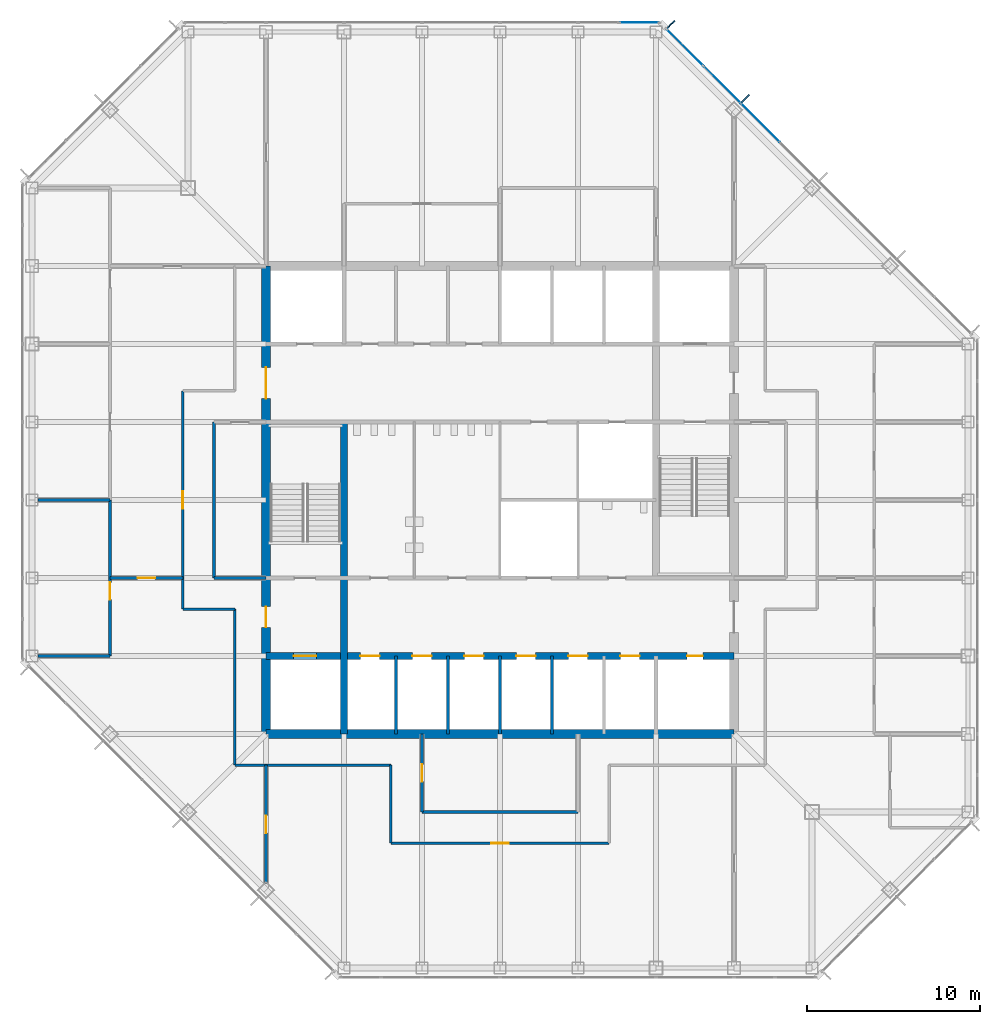
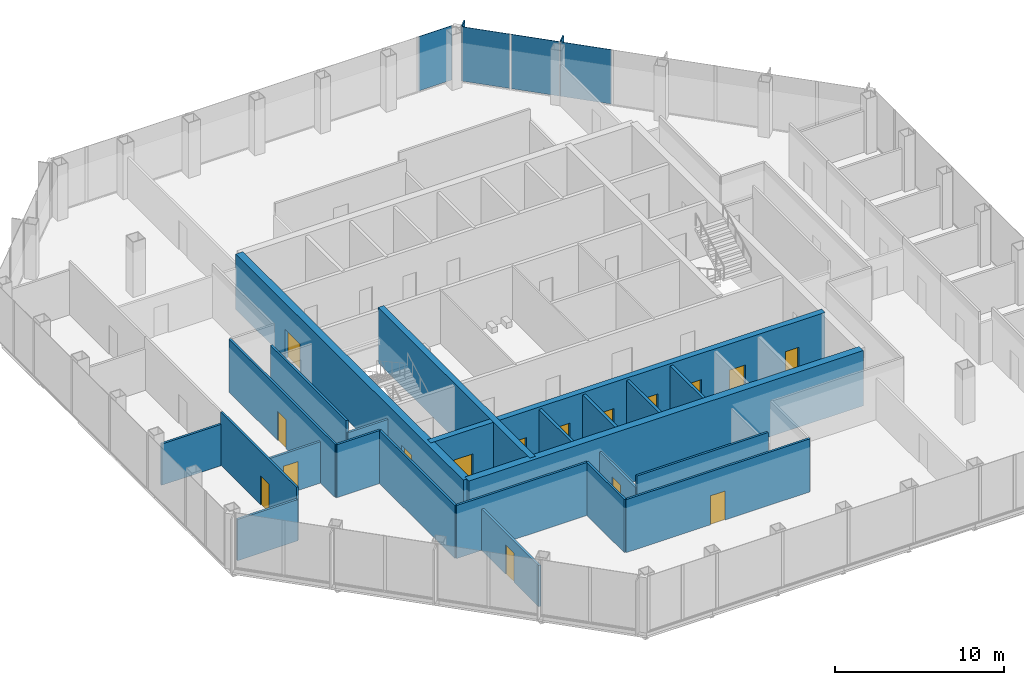
# One storey, part 8 of 13: 23 walls, 16 doors, 6 plates, 16 openings, 2 elements without a shape of their own.
"""IFC4 building model written with IfcOpenShell, lengths in metres."""

from ifc_helpers import new_model, si_unit, direction, frame, frame_2d, origin, origin_2d, place, context, subcontext, project, spatial, rectangle, extrude, material, layer, layer_set, type_object, element, fill, aggregate, save


model = new_model("IFC4")

# Units and contexts
model_context = context("Model", 3, precision=1e-05, world=origin(), true_north=direction((0.0, 1.0)))
body_context = subcontext(model_context, "Body", "Model", "MODEL_VIEW")
ifc_project = project(units=[si_unit("LENGTHUNIT", "METRE"), si_unit("AREAUNIT", "SQUARE_METRE"), si_unit("VOLUMEUNIT", "CUBIC_METRE"), si_unit("PLANEANGLEUNIT", "RADIAN"), si_unit("MASSUNIT", "GRAM", prefix="KILO")], contexts=[model_context])

# Site, building, storey
site_placement = place(None, origin())
site = spatial("IfcSite", under=ifc_project, at=site_placement, CompositionType="ELEMENT")
building_placement = place(site_placement, origin())
building = spatial("IfcBuilding", under=site, at=building_placement, Name="Corais Broadcast Tower", CompositionType="ELEMENT")
storey_placement = place(building_placement, frame((0.0, 0.0, 175.60009765625)))
storey = spatial("IfcBuildingStorey", under=building, at=storey_placement, Name="L40", CompositionType="ELEMENT", Elevation=175.60009765625)

# Curtain wall, plates
ifc_material_1 = material(Name="Aluminium and glass", Category="aluminium")
curtain_wall_type = type_object("IfcCurtainWallType", Name="Unitised fritted curtain wall CW2", PredefinedType="NOTDEFINED", material=ifc_material_1)
curtain_wall_1_placement = place(storey_placement, origin())
curtain_wall_1 = element("IfcCurtainWall", 1, at=curtain_wall_1_placement, inside=storey, type_object=curtain_wall_type, Name="CW2 curtain wall L40 5", PredefinedType="NOTDEFINED")
ifc_material_2 = material(Name="Ceramic-fritted laminated glass", Category="glass")
ifc_layer_1 = layer(ifc_material_2, 0.028076171875)
ifc_layer_set_1 = layer_set([ifc_layer_1], Name="Ceramic-fritted laminated glass")
plate_type_1 = type_object("IfcPlateType", Name="Fritted glass panel CW2", PredefinedType="CURTAIN_PANEL", material=ifc_layer_set_1)
plate_1_placement = place(storey_placement, frame((37.669677734375, 53.108154296875, 0.06494140625), z_axis=(0.0, 0.0, 1.0), x_axis=(0.707106781187, -0.707106781187, 0.0)))
plate_1 = element("IfcPlate", 2, at=plate_1_placement, type_object=plate_type_1, Name="CW2 panel 1", PredefinedType="CURTAIN_PANEL", context=body_context, shape_type="SweptSolid", body=[
    extrude(rectangle(XDim=2.9482421875, YDim=0.028076171875, at=origin_2d()), origin(), (0.0, 0.0, 1.0), 3.93505859375),
])
plate_2_placement = place(storey_placement, frame((42.013916015625, 48.763916015625, 0.06494140625), z_axis=(0.0, 0.0, 1.0), x_axis=(0.707106781187, -0.707106781187, 0.0)))
plate_2 = element("IfcPlate", 3, at=plate_2_placement, type_object=plate_type_1, Name="CW2 panel 3", PredefinedType="CURTAIN_PANEL", context=body_context, shape_type="SweptSolid", body=[
    extrude(rectangle(XDim=3.116943359375, YDim=0.028076171875, at=origin_2d()), origin(), (0.0, 0.0, 1.0), 3.93505859375),
])

# Curtain wall, plate
curtain_wall_2_placement = place(storey_placement, origin())
curtain_wall_2 = element("IfcCurtainWall", 4, at=curtain_wall_2_placement, inside=storey, type_object=curtain_wall_type, Name="CW2 curtain wall L40 4", PredefinedType="NOTDEFINED")
ifc_material_3 = material(Name="Clear laminated glass", Category="glass")
ifc_layer_2 = layer(ifc_material_3, 0.031982421875)
ifc_layer_set_2 = layer_set([ifc_layer_2], Name="Clear laminated glass")
plate_type_2 = type_object("IfcPlateType", Name="Operable glass panel CW2", PredefinedType="CURTAIN_PANEL", material=ifc_layer_set_2)
plate_3_placement = place(storey_placement, frame((35.029541015625, 54.550048828125, 0.06494140625), z_axis=(0.0, 0.0, 1.0), x_axis=(1.0, 0.0, 0.0)))
plate_3 = element("IfcPlate", 5, at=plate_3_placement, type_object=plate_type_2, Name="CW2 operable panel 8", PredefinedType="CURTAIN_PANEL", context=body_context, shape_type="SweptSolid", body=[
    extrude(rectangle(XDim=2.266357421875, YDim=0.031982421875, at=origin_2d()), origin(), (0.0, 0.0, 1.0), 3.93505859375),
])
aggregate(curtain_wall_2, [plate_3])

# Plate
plate_4_placement = place(storey_placement, frame((39.81201171875, 50.9658203125, 0.06494140625), z_axis=(0.0, 0.0, 1.0), x_axis=(0.707106781187, -0.707106781187, 0.0)))
plate_4 = element("IfcPlate", 6, at=plate_4_placement, type_object=plate_type_2, Name="CW2 operable panel 2", PredefinedType="CURTAIN_PANEL", context=body_context, shape_type="SweptSolid", body=[
    extrude(rectangle(XDim=2.98095703125, YDim=0.031982421875, at=origin_2d()), origin(), (0.0, 0.0, 1.0), 3.93505859375),
])

aggregate(curtain_wall_1, [plate_1, plate_4, plate_2])

# Plates
ifc_material_4 = material(Name="Granite stone cladding", Category="masonry")
ifc_layer_3 = layer(ifc_material_4, 0.080078125)
ifc_layer_set_3 = layer_set([ifc_layer_3], Name="Granite stone cladding")
plate_type_3 = type_object("IfcPlateType", Name="Stone screen fin 80x600", PredefinedType="USERDEFINED", material=ifc_layer_set_3)
for number, where, z_axis, x_axis, name in (
    (7, (36.8779296875, 54.447021484375, 0.0), (0.0, 0.0, 1.0), (0.707106781187, -0.707106781187, 0.0), "SF1 stone screen fin L40"),
    (8, (41.16259765625, 50.16259765625, 0.0), (0.0, 0.0, 1.0), (0.707106781187, -0.707106781187, 0.0), "SF1 stone screen fin L40"),
):
    element("IfcPlate", number, at=place(storey_placement, frame(where, z_axis=z_axis, x_axis=x_axis)), inside=storey, type_object=plate_type_3, Name=name, ObjectType="STONE SCREEN FIN", PredefinedType="USERDEFINED", context=body_context, shape_type="SweptSolid", body=[
        extrude(rectangle(XDim=0.080078125, YDim=0.60009765625, at=origin_2d()), origin(), (0.0, 0.0, 1.0), 4.0),
    ])

# Wall
ifc_material_5 = material(Name="Concrete C50/60", Category="concrete")
ifc_layer_4 = layer(ifc_material_5, 0.39990234375)
ifc_layer_set_4 = layer_set([ifc_layer_4], Name="Concrete C50/60")
wall_type_1 = type_object("IfcWallType", Name="Core wall 400", PredefinedType="SHEAR", material=ifc_layer_set_4)
wall_1_placement = place(storey_placement, frame((18.0, 13.5, 0.0), z_axis=(0.0, 0.0, 1.0), x_axis=(0.0, 1.0, 0.0)))
element("IfcWall", 9, at=wall_1_placement, inside=storey, type_object=wall_type_1, Name="CR400 core wall X18A L40", PredefinedType="SHEAR", context=body_context, shape_type="SweptSolid", body=[
    extrude(rectangle(XDim=18.0, YDim=0.39990234375, at=frame_2d((9.0, 0.0))), origin(), (0.0, 0.0, 1.0), 4.0),
])

# Wall, openings, doors
wall_2_placement = place(storey_placement, frame((13.5, 18.0, 0.0), z_axis=(0.0, 0.0, 1.0), x_axis=(1.0, 0.0, 0.0)))
wall_2 = element("IfcWall", 10, at=wall_2_placement, inside=storey, type_object=wall_type_1, Name="CR400 core wall Y18 L40", PredefinedType="SHEAR", context=body_context, shape_type="SweptSolid", body=[
    extrude(rectangle(XDim=27.0, YDim=0.39990234375, at=frame_2d((13.5, 0.0))), origin(), (0.0, 0.0, 1.0), 4.0),
])
opening_1_placement = place(wall_2_placement, frame((24.300048828125, 0.0, 0.0)))
opening_1 = element("IfcOpeningElement", 11, at=opening_1_placement, cuts=wall_2, Name="Opening RD1", PredefinedType="OPENING", context=body_context, shape_type="SweptSolid", body=[
    extrude(rectangle(XDim=0.89990234375, YDim=2.10009765625, at=frame_2d((0.449951171875, 1.050048828125))), frame((0.0, 0.2099609375, 0.0), z_axis=(0.0, -1.0, 0.0), x_axis=(1.0, 0.0, 0.0)), (0.0, 0.0, 1.0), 0.419921875),
])
opening_2_placement = place(wall_2_placement, frame((5.449951171875, 0.0, 0.0)))
opening_2 = element("IfcOpeningElement", 12, at=opening_2_placement, cuts=wall_2, Name="Opening LD1", PredefinedType="OPENING", context=body_context, shape_type="SweptSolid", body=[
    extrude(rectangle(XDim=1.10009765625, YDim=2.10009765625, at=frame_2d((0.550048828125, 1.050048828125))), frame((0.0, 0.2099609375, 0.0), z_axis=(0.0, -1.0, 0.0), x_axis=(1.0, 0.0, 0.0)), (0.0, 0.0, 1.0), 0.419921875),
])
opening_3_placement = place(wall_2_placement, frame((8.449951171875, 0.0, 0.0)))
opening_3 = element("IfcOpeningElement", 13, at=opening_3_placement, cuts=wall_2, Name="Opening LD1", PredefinedType="OPENING", context=body_context, shape_type="SweptSolid", body=[
    extrude(rectangle(XDim=1.10009765625, YDim=2.10009765625, at=frame_2d((0.550048828125, 1.050048828125))), frame((0.0, 0.2099609375, 0.0), z_axis=(0.0, -1.0, 0.0), x_axis=(1.0, 0.0, 0.0)), (0.0, 0.0, 1.0), 0.419921875),
])
opening_4_placement = place(wall_2_placement, frame((11.449951171875, 0.0, 0.0)))
opening_4 = element("IfcOpeningElement", 14, at=opening_4_placement, cuts=wall_2, Name="Opening LD1", PredefinedType="OPENING", context=body_context, shape_type="SweptSolid", body=[
    extrude(rectangle(XDim=1.10009765625, YDim=2.10009765625, at=frame_2d((0.550048828125, 1.050048828125))), frame((0.0, 0.2099609375, 0.0), z_axis=(0.0, -1.0, 0.0), x_axis=(1.0, 0.0, 0.0)), (0.0, 0.0, 1.0), 0.419921875),
])
opening_5_placement = place(wall_2_placement, frame((14.449951171875, 0.0, 0.0)))
opening_5 = element("IfcOpeningElement", 15, at=opening_5_placement, cuts=wall_2, Name="Opening LD1", PredefinedType="OPENING", context=body_context, shape_type="SweptSolid", body=[
    extrude(rectangle(XDim=1.10009765625, YDim=2.10009765625, at=frame_2d((0.550048828125, 1.050048828125))), frame((0.0, 0.2099609375, 0.0), z_axis=(0.0, -1.0, 0.0), x_axis=(1.0, 0.0, 0.0)), (0.0, 0.0, 1.0), 0.419921875),
])
opening_6_placement = place(wall_2_placement, frame((17.449951171875, 0.0, 0.0)))
opening_6 = element("IfcOpeningElement", 16, at=opening_6_placement, cuts=wall_2, Name="Opening LD1", PredefinedType="OPENING", context=body_context, shape_type="SweptSolid", body=[
    extrude(rectangle(XDim=1.10009765625, YDim=2.10009765625, at=frame_2d((0.550048828125, 1.050048828125))), frame((0.0, 0.2099609375, 0.0), z_axis=(0.0, -1.0, 0.0), x_axis=(1.0, 0.0, 0.0)), (0.0, 0.0, 1.0), 0.419921875),
])
opening_7_placement = place(wall_2_placement, frame((20.449951171875, 0.0, 0.0)))
opening_7 = element("IfcOpeningElement", 17, at=opening_7_placement, cuts=wall_2, Name="Opening LD1", PredefinedType="OPENING", context=body_context, shape_type="SweptSolid", body=[
    extrude(rectangle(XDim=1.10009765625, YDim=2.10009765625, at=frame_2d((0.550048828125, 1.050048828125))), frame((0.0, 0.2099609375, 0.0), z_axis=(0.0, -1.0, 0.0), x_axis=(1.0, 0.0, 0.0)), (0.0, 0.0, 1.0), 0.419921875),
])
opening_8_placement = place(wall_2_placement, frame((1.60009765625, 0.0, 0.0)))
opening_8 = element("IfcOpeningElement", 18, at=opening_8_placement, cuts=wall_2, Name="Opening LD2", PredefinedType="OPENING", context=body_context, shape_type="SweptSolid", body=[
    extrude(rectangle(XDim=1.300048828125, YDim=2.199951171875, at=frame_2d((0.64990234375, 1.10009765625))), frame((0.0, 0.2099609375, 0.0), z_axis=(0.0, -1.0, 0.0), x_axis=(1.0, 0.0, 0.0)), (0.0, 0.0, 1.0), 0.419921875),
])
ifc_material_6 = material(Name="Stainless steel lift door", Category="steel")
door_type_1 = type_object("IfcDoorType", Name="Lift landing door 1100x2100", OperationType="SLIDING_TO_LEFT", PredefinedType="DOOR", material=ifc_material_6)
door_1_placement = place(opening_2_placement, origin())
door_1 = element("IfcDoor", 19, at=door_1_placement, inside=storey, type_object=door_type_1, Name="LD1 PM1 landing door L40", OperationType="SLIDING_TO_LEFT", OverallHeight=2.10009765625, OverallWidth=1.10009765625, PredefinedType="DOOR", context=body_context, shape_type="SweptSolid", body=[
    extrude(rectangle(XDim=1.10009765625, YDim=2.10009765625, at=frame_2d((0.550048828125, 1.050048828125))), frame((0.0, 0.02490234375, 0.0), z_axis=(0.0, -1.0, 0.0), x_axis=(1.0, 0.0, 0.0)), (0.0, 0.0, 1.0), 0.050048828125),
])
fill(opening_2, door_1)
door_2_placement = place(opening_3_placement, origin())
door_2 = element("IfcDoor", 20, at=door_2_placement, inside=storey, type_object=door_type_1, Name="LD1 PM2 landing door L40", OperationType="SLIDING_TO_LEFT", OverallHeight=2.10009765625, OverallWidth=1.10009765625, PredefinedType="DOOR", context=body_context, shape_type="SweptSolid", body=[
    extrude(rectangle(XDim=1.10009765625, YDim=2.10009765625, at=frame_2d((0.550048828125, 1.050048828125))), frame((0.0, 0.02490234375, 0.0), z_axis=(0.0, -1.0, 0.0), x_axis=(1.0, 0.0, 0.0)), (0.0, 0.0, 1.0), 0.050048828125),
])
fill(opening_3, door_2)
door_3_placement = place(opening_4_placement, origin())
door_3 = element("IfcDoor", 21, at=door_3_placement, inside=storey, type_object=door_type_1, Name="LD1 PM3 landing door L40", OperationType="SLIDING_TO_LEFT", OverallHeight=2.10009765625, OverallWidth=1.10009765625, PredefinedType="DOOR", context=body_context, shape_type="SweptSolid", body=[
    extrude(rectangle(XDim=1.10009765625, YDim=2.10009765625, at=frame_2d((0.550048828125, 1.050048828125))), frame((0.0, 0.02490234375, 0.0), z_axis=(0.0, -1.0, 0.0), x_axis=(1.0, 0.0, 0.0)), (0.0, 0.0, 1.0), 0.050048828125),
])
fill(opening_4, door_3)
door_4_placement = place(opening_5_placement, origin())
door_4 = element("IfcDoor", 22, at=door_4_placement, inside=storey, type_object=door_type_1, Name="LD1 PM4 landing door L40", OperationType="SLIDING_TO_LEFT", OverallHeight=2.10009765625, OverallWidth=1.10009765625, PredefinedType="DOOR", context=body_context, shape_type="SweptSolid", body=[
    extrude(rectangle(XDim=1.10009765625, YDim=2.10009765625, at=frame_2d((0.550048828125, 1.050048828125))), frame((0.0, 0.02490234375, 0.0), z_axis=(0.0, -1.0, 0.0), x_axis=(1.0, 0.0, 0.0)), (0.0, 0.0, 1.0), 0.050048828125),
])
fill(opening_5, door_4)
door_5_placement = place(opening_6_placement, origin())
door_5 = element("IfcDoor", 23, at=door_5_placement, inside=storey, type_object=door_type_1, Name="LD1 PM5 landing door L40", OperationType="SLIDING_TO_LEFT", OverallHeight=2.10009765625, OverallWidth=1.10009765625, PredefinedType="DOOR", context=body_context, shape_type="SweptSolid", body=[
    extrude(rectangle(XDim=1.10009765625, YDim=2.10009765625, at=frame_2d((0.550048828125, 1.050048828125))), frame((0.0, 0.02490234375, 0.0), z_axis=(0.0, -1.0, 0.0), x_axis=(1.0, 0.0, 0.0)), (0.0, 0.0, 1.0), 0.050048828125),
])
fill(opening_6, door_5)
door_6_placement = place(opening_7_placement, origin())
door_6 = element("IfcDoor", 24, at=door_6_placement, inside=storey, type_object=door_type_1, Name="LD1 PM6 landing door L40", OperationType="SLIDING_TO_LEFT", OverallHeight=2.10009765625, OverallWidth=1.10009765625, PredefinedType="DOOR", context=body_context, shape_type="SweptSolid", body=[
    extrude(rectangle(XDim=1.10009765625, YDim=2.10009765625, at=frame_2d((0.550048828125, 1.050048828125))), frame((0.0, 0.02490234375, 0.0), z_axis=(0.0, -1.0, 0.0), x_axis=(1.0, 0.0, 0.0)), (0.0, 0.0, 1.0), 0.050048828125),
])
fill(opening_7, door_6)
ifc_material_7 = material(Name="Stainless steel lift door", Category="steel")
door_type_2 = type_object("IfcDoorType", Name="Lift landing door 1300x2200", OperationType="SLIDING_TO_LEFT", PredefinedType="DOOR", material=ifc_material_7)
door_7_placement = place(opening_8_placement, origin())
door_7 = element("IfcDoor", 25, at=door_7_placement, inside=storey, type_object=door_type_2, Name="LD2 FL1 landing door L40", OperationType="SLIDING_TO_LEFT", OverallHeight=2.199951171875, OverallWidth=1.300048828125, PredefinedType="DOOR", context=body_context, shape_type="SweptSolid", body=[
    extrude(rectangle(XDim=1.300048828125, YDim=2.199951171875, at=frame_2d((0.64990234375, 1.10009765625))), frame((0.0, 0.02490234375, 0.0), z_axis=(0.0, -1.0, 0.0), x_axis=(1.0, 0.0, 0.0)), (0.0, 0.0, 1.0), 0.050048828125),
])
fill(opening_8, door_7)
ifc_material_8 = material(Name="Steel fire door", Category="steel")
door_type_3 = type_object("IfcDoorType", Name="Riser door 900x2100", OperationType="SINGLE_SWING_LEFT", PredefinedType="DOOR", material=ifc_material_8)
door_8_placement = place(opening_1_placement, origin())
door_8 = element("IfcDoor", 26, at=door_8_placement, inside=storey, type_object=door_type_3, Name="RD1 riser door L40", OperationType="SINGLE_SWING_RIGHT", OverallHeight=2.10009765625, OverallWidth=0.89990234375, PredefinedType="DOOR", context=body_context, shape_type="SweptSolid", body=[
    extrude(rectangle(XDim=0.89990234375, YDim=2.10009765625, at=frame_2d((0.449951171875, 1.050048828125))), frame((0.0, 0.02490234375, 0.0), z_axis=(0.0, -1.0, 0.0), x_axis=(1.0, 0.0, 0.0)), (0.0, 0.0, 1.0), 0.050048828125),
])
fill(opening_1, door_8)

# Wall
ifc_material_9 = material(Name="Concrete C50/60", Category="concrete")
ifc_layer_5 = layer(ifc_material_9, 0.5)
ifc_layer_set_5 = layer_set([ifc_layer_5], Name="Concrete C50/60")
wall_type_2 = type_object("IfcWallType", Name="Core wall 500", PredefinedType="SHEAR", material=ifc_layer_set_5)
wall_3_placement = place(storey_placement, frame((13.5, 13.5, 0.0), z_axis=(0.0, 0.0, 1.0), x_axis=(1.0, 0.0, 0.0)))
element("IfcWall", 27, at=wall_3_placement, inside=storey, type_object=wall_type_2, Name="CR500 core wall S L40", PredefinedType="SHEAR", context=body_context, shape_type="SweptSolid", body=[
    extrude(rectangle(XDim=27.0, YDim=0.5, at=frame_2d((13.5, 0.0))), origin(), (0.0, 0.0, 1.0), 4.0),
])

# Wall, openings, doors
wall_4_placement = place(storey_placement, frame((13.5, 40.5, 0.0), z_axis=(0.0, 0.0, 1.0), x_axis=(0.0, -1.0, 0.0)))
wall_4 = element("IfcWall", 28, at=wall_4_placement, inside=storey, type_object=wall_type_2, Name="CR500 core wall W L40", PredefinedType="SHEAR", context=body_context, shape_type="SweptSolid", body=[
    extrude(rectangle(XDim=27.0, YDim=0.5, at=frame_2d((13.5, 0.0))), origin(), (0.0, 0.0, 1.0), 4.0),
])
opening_9_placement = place(wall_4_placement, frame((19.64990234375, 0.0, 0.0)))
opening_9 = element("IfcOpeningElement", 29, at=opening_9_placement, cuts=wall_4, Name="Opening FD1", PredefinedType="OPENING", context=body_context, shape_type="SweptSolid", body=[
    extrude(rectangle(XDim=1.199951171875, YDim=2.10009765625, at=frame_2d((0.60009765625, 1.050048828125))), frame((0.0, 0.260009765625, 0.0), z_axis=(0.0, -1.0, 0.0), x_axis=(1.0, 0.0, 0.0)), (0.0, 0.0, 1.0), 0.52001953125),
])
opening_10_placement = place(wall_4_placement, frame((5.85009765625, 0.0, 0.0)))
opening_10 = element("IfcOpeningElement", 30, at=opening_10_placement, cuts=wall_4, Name="Opening FD2", PredefinedType="OPENING", context=body_context, shape_type="SweptSolid", body=[
    extrude(rectangle(XDim=1.800048828125, YDim=2.10009765625, at=frame_2d((0.89990234375, 1.050048828125))), frame((0.0, 0.260009765625, 0.0), z_axis=(0.0, -1.0, 0.0), x_axis=(1.0, 0.0, 0.0)), (0.0, 0.0, 1.0), 0.52001953125),
])
ifc_material_10 = material(Name="Steel fire door", Category="steel")
door_type_4 = type_object("IfcDoorType", Name="Fire door 1200x2100", OperationType="SINGLE_SWING_LEFT", PredefinedType="DOOR", material=ifc_material_10)
door_9_placement = place(opening_9_placement, origin())
door_9 = element("IfcDoor", 31, at=door_9_placement, inside=storey, type_object=door_type_4, Name="FD1 fire lobby A door L40", OperationType="SINGLE_SWING_RIGHT", OverallHeight=2.10009765625, OverallWidth=1.199951171875, PredefinedType="DOOR", context=body_context, shape_type="SweptSolid", body=[
    extrude(rectangle(XDim=1.199951171875, YDim=2.10009765625, at=frame_2d((0.60009765625, 1.050048828125))), frame((0.0, 0.02490234375, 0.0), z_axis=(0.0, -1.0, 0.0), x_axis=(1.0, 0.0, 0.0)), (0.0, 0.0, 1.0), 0.050048828125),
])
fill(opening_9, door_9)
ifc_material_11 = material(Name="Steel fire door", Category="steel")
door_type_5 = type_object("IfcDoorType", Name="Fire door pair 1800x2100", OperationType="DOUBLE_DOOR_SINGLE_SWING", PredefinedType="DOOR", material=ifc_material_11)
door_10_placement = place(opening_10_placement, origin())
door_10 = element("IfcDoor", 32, at=door_10_placement, inside=storey, type_object=door_type_5, Name="FD2 lift lobby door L40", OperationType="SINGLE_SWING_LEFT", OverallHeight=2.10009765625, OverallWidth=1.800048828125, PredefinedType="DOOR", context=body_context, shape_type="SweptSolid", body=[
    extrude(rectangle(XDim=1.800048828125, YDim=2.10009765625, at=frame_2d((0.89990234375, 1.050048828125))), frame((0.0, 0.02490234375, 0.0), z_axis=(0.0, -1.0, 0.0), x_axis=(1.0, 0.0, 0.0)), (0.0, 0.0, 1.0), 0.050048828125),
])
fill(opening_10, door_10)

# Wall, opening, door
ifc_material_12 = material(Name="Gypsum board on steel studs", Category="steel")
ifc_layer_6 = layer(ifc_material_12, 0.14990234375)
ifc_layer_set_6 = layer_set([ifc_layer_6], Name="Gypsum board on steel studs")
wall_type_3 = type_object("IfcWallType", Name="Partition 150", PredefinedType="PARTITIONING", material=ifc_layer_set_6)
wall_5_placement = place(storey_placement, frame((8.699951171875, 33.300048828125, 0.0), z_axis=(0.0, 0.0, 1.0), x_axis=(0.0, -1.0, 0.0)))
wall_5 = element("IfcWall", 33, at=wall_5_placement, inside=storey, type_object=wall_type_3, Name="IW3 corridor wall L40", PredefinedType="PARTITIONING", context=body_context, shape_type="SweptSolid", body=[
    extrude(rectangle(XDim=12.60009765625, YDim=0.14990234375, at=frame_2d((6.300048828125, 0.0))), origin(), (0.0, 0.0, 1.0), 3.83984375),
])
opening_11_placement = place(wall_5_placement, frame((5.800048828125, 0.0, 0.0)))
opening_11 = element("IfcOpeningElement", 34, at=opening_11_placement, cuts=wall_5, Name="Opening D1", PredefinedType="OPENING", context=body_context, shape_type="SweptSolid", body=[
    extrude(rectangle(XDim=1.0, YDim=2.10009765625, at=frame_2d((0.5, 1.050048828125))), frame((0.0, 0.0849609375, 0.0), z_axis=(0.0, -1.0, 0.0), x_axis=(1.0, 0.0, 0.0)), (0.0, 0.0, 1.0), 0.169921875),
])
ifc_material_13 = material(Name="Timber door", Category="wood")
door_type_6 = type_object("IfcDoorType", Name="Single door 1000x2100", OperationType="SINGLE_SWING_LEFT", PredefinedType="DOOR", material=ifc_material_13)
door_11_placement = place(opening_11_placement, origin())
door_11 = element("IfcDoor", 35, at=door_11_placement, inside=storey, type_object=door_type_6, Name="D1 workplace door L40", OperationType="SINGLE_SWING_LEFT", OverallHeight=2.10009765625, OverallWidth=1.0, PredefinedType="DOOR", context=body_context, shape_type="SweptSolid", body=[
    extrude(rectangle(XDim=1.0, YDim=2.10009765625, at=frame_2d((0.5, 1.050048828125))), frame((0.0, 0.02490234375, 0.0), z_axis=(0.0, -1.0, 0.0), x_axis=(1.0, 0.0, 0.0)), (0.0, 0.0, 1.0), 0.050048828125),
])
fill(opening_11, door_11)

wall_6_placement = place(storey_placement, frame((20.699951171875, 7.199951171875, 0.0), z_axis=(0.0, 0.0, 1.0), x_axis=(1.0, 0.0, 0.0)))
wall_6 = element("IfcWall", 36, at=wall_6_placement, inside=storey, type_object=wall_type_3, Name="IW3 corridor wall L40", PredefinedType="PARTITIONING", context=body_context, shape_type="SweptSolid", body=[
    extrude(rectangle(XDim=12.60009765625, YDim=0.14990234375, at=frame_2d((6.300048828125, 0.0))), origin(), (0.0, 0.0, 1.0), 3.83984375),
])
opening_12_placement = place(wall_6_placement, frame((5.800048828125, 0.0, 0.0)))
opening_12 = element("IfcOpeningElement", 37, at=opening_12_placement, cuts=wall_6, Name="Opening D1", PredefinedType="OPENING", context=body_context, shape_type="SweptSolid", body=[
    extrude(rectangle(XDim=1.0, YDim=2.10009765625, at=frame_2d((0.5, 1.050048828125))), frame((0.0, 0.0849609375, 0.0), z_axis=(0.0, -1.0, 0.0), x_axis=(1.0, 0.0, 0.0)), (0.0, 0.0, 1.0), 0.169921875),
])
door_12_placement = place(opening_12_placement, origin())
door_12 = element("IfcDoor", 38, at=door_12_placement, inside=storey, type_object=door_type_6, Name="D1 workplace door L40", OperationType="SINGLE_SWING_LEFT", OverallHeight=2.10009765625, OverallWidth=1.0, PredefinedType="DOOR", context=body_context, shape_type="SweptSolid", body=[
    extrude(rectangle(XDim=1.0, YDim=2.10009765625, at=frame_2d((0.5, 1.050048828125))), frame((0.0, 0.02490234375, 0.0), z_axis=(0.0, -1.0, 0.0), x_axis=(1.0, 0.0, 0.0)), (0.0, 0.0, 1.0), 0.050048828125),
])
fill(opening_12, door_12)

# Walls
for number, where, z_axis, x_axis, name in (
    (39, (11.699951171875, 11.699951171875, 0.0), (0.0, 0.0, 1.0), (1.0, 0.0, 0.0), "IW3 corridor wall L40"),
    (40, (11.699951171875, 20.699951171875, 0.0), (0.0, 0.0, 1.0), (0.0, -1.0, 0.0), "IW3 corridor wall L40"),
):
    element("IfcWall", number, at=place(storey_placement, frame(where, z_axis=z_axis, x_axis=x_axis)), inside=storey, type_object=wall_type_3, Name=name, PredefinedType="PARTITIONING", context=body_context, shape_type="SweptSolid", body=[
        extrude(rectangle(XDim=9.0, YDim=0.14990234375, at=frame_2d((4.5, 0.0))), origin(), (0.0, 0.0, 1.0), 3.83984375),
    ])
wall_7_placement = place(storey_placement, frame((20.699951171875, 11.699951171875, 0.0), z_axis=(0.0, 0.0, 1.0), x_axis=(0.0, -1.0, 0.0)))
element("IfcWall", 41, at=wall_7_placement, inside=storey, type_object=wall_type_3, Name="IW3 corridor wall L40", PredefinedType="PARTITIONING", context=body_context, shape_type="SweptSolid", body=[
    extrude(rectangle(XDim=4.5, YDim=0.14990234375, at=frame_2d((2.25, 0.0))), origin(), (0.0, 0.0, 1.0), 3.83984375),
])
wall_8_placement = place(storey_placement, frame((8.699951171875, 20.699951171875, 0.0), z_axis=(0.0, 0.0, 1.0), x_axis=(1.0, 0.0, 0.0)))
element("IfcWall", 42, at=wall_8_placement, inside=storey, type_object=wall_type_3, Name="IW3 corridor wall L40", PredefinedType="PARTITIONING", context=body_context, shape_type="SweptSolid", body=[
    extrude(rectangle(XDim=3.0, YDim=0.14990234375, at=frame_2d((1.5, 0.0))), origin(), (0.0, 0.0, 1.0), 3.83984375),
])
wall_9_placement = place(storey_placement, frame((0.360107421875, 18.0, 0.0), z_axis=(0.0, 0.0, 1.0), x_axis=(1.0, 0.0, 0.0)))
element("IfcWall", 43, at=wall_9_placement, inside=storey, type_object=wall_type_3, Name="IW3 partition L40", PredefinedType="PARTITIONING", context=body_context, shape_type="SweptSolid", body=[
    extrude(rectangle(XDim=4.139892578125, YDim=0.14990234375, at=frame_2d((2.06982421875, 0.0))), origin(), (0.0, 0.0, 1.0), 2.989013671875),
])

# Wall, opening, door
wall_10_placement = place(storey_placement, frame((4.5, 18.0, 0.0), z_axis=(0.0, 0.0, 1.0), x_axis=(0.0, 1.0, 0.0)))
wall_10 = element("IfcWall", 44, at=wall_10_placement, inside=storey, type_object=wall_type_3, Name="IW3 partition L40", PredefinedType="PARTITIONING", context=body_context, shape_type="SweptSolid", body=[
    extrude(rectangle(XDim=9.0, YDim=0.14990234375, at=frame_2d((4.5, 0.0))), origin(), (0.0, 0.0, 1.0), 3.83984375),
])
opening_13_placement = place(wall_10_placement, frame((3.25, 0.0, 0.0)))
opening_13 = element("IfcOpeningElement", 45, at=opening_13_placement, cuts=wall_10, Name="Opening D1", PredefinedType="OPENING", context=body_context, shape_type="SweptSolid", body=[
    extrude(rectangle(XDim=1.0, YDim=2.10009765625, at=frame_2d((0.5, 1.050048828125))), frame((0.0, 0.0849609375, 0.0), z_axis=(0.0, -1.0, 0.0), x_axis=(1.0, 0.0, 0.0)), (0.0, 0.0, 1.0), 0.169921875),
])
door_13_placement = place(opening_13_placement, origin())
door_13 = element("IfcDoor", 46, at=door_13_placement, inside=storey, type_object=door_type_6, Name="D1 Office door", OperationType="SINGLE_SWING_LEFT", OverallHeight=2.10009765625, OverallWidth=1.0, PredefinedType="DOOR", context=body_context, shape_type="SweptSolid", body=[
    extrude(rectangle(XDim=1.0, YDim=2.10009765625, at=frame_2d((0.5, 1.050048828125))), frame((0.0, 0.02490234375, 0.0), z_axis=(0.0, -1.0, 0.0), x_axis=(1.0, 0.0, 0.0)), (0.0, 0.0, 1.0), 0.050048828125),
])
fill(opening_13, door_13)

# Walls
wall_11_placement = place(storey_placement, frame((4.5, 27.0, 0.0), z_axis=(0.0, 0.0, 1.0), x_axis=(-1.0, 0.0, 0.0)))
element("IfcWall", 47, at=wall_11_placement, inside=storey, type_object=wall_type_3, Name="IW3 partition L40", PredefinedType="PARTITIONING", context=body_context, shape_type="SweptSolid", body=[
    extrude(rectangle(XDim=4.139892578125, YDim=0.14990234375, at=frame_2d((2.06982421875, 0.0))), origin(), (0.0, 0.0, 1.0), 2.989013671875),
])
wall_12_placement = place(storey_placement, frame((22.5, 9.0, 0.0), z_axis=(0.0, 0.0, 1.0), x_axis=(1.0, 0.0, 0.0)))
element("IfcWall", 48, at=wall_12_placement, inside=storey, type_object=wall_type_3, Name="IW3 partition L40", PredefinedType="PARTITIONING", context=body_context, shape_type="SweptSolid", body=[
    extrude(rectangle(XDim=9.0, YDim=0.14990234375, at=frame_2d((4.5, 0.0))), origin(), (0.0, 0.0, 1.0), 3.83984375),
])

# Wall, opening, door
wall_13_placement = place(storey_placement, frame((22.5, 13.5, 0.0), z_axis=(0.0, 0.0, 1.0), x_axis=(0.0, -1.0, 0.0)))
wall_13 = element("IfcWall", 49, at=wall_13_placement, inside=storey, type_object=wall_type_3, Name="IW3 partition L40", PredefinedType="PARTITIONING", context=body_context, shape_type="SweptSolid", body=[
    extrude(rectangle(XDim=4.5, YDim=0.14990234375, at=frame_2d((2.25, 0.0))), origin(), (0.0, 0.0, 1.0), 2.989013671875),
])
opening_14_placement = place(wall_13_placement, frame((1.75, 0.0, 0.0)))
opening_14 = element("IfcOpeningElement", 50, at=opening_14_placement, cuts=wall_13, Name="Opening D1", PredefinedType="OPENING", context=body_context, shape_type="SweptSolid", body=[
    extrude(rectangle(XDim=1.0, YDim=2.10009765625, at=frame_2d((0.5, 1.050048828125))), frame((0.0, 0.0849609375, 0.0), z_axis=(0.0, -1.0, 0.0), x_axis=(1.0, 0.0, 0.0)), (0.0, 0.0, 1.0), 0.169921875),
])
door_14_placement = place(opening_14_placement, origin())
door_14 = element("IfcDoor", 51, at=door_14_placement, inside=storey, type_object=door_type_6, Name="D1 Meeting room door", OperationType="SINGLE_SWING_LEFT", OverallHeight=2.10009765625, OverallWidth=1.0, PredefinedType="DOOR", context=body_context, shape_type="SweptSolid", body=[
    extrude(rectangle(XDim=1.0, YDim=2.10009765625, at=frame_2d((0.5, 1.050048828125))), frame((0.0, 0.02490234375, 0.0), z_axis=(0.0, -1.0, 0.0), x_axis=(1.0, 0.0, 0.0)), (0.0, 0.0, 1.0), 0.050048828125),
])
fill(opening_14, door_14)

# Walls
wall_14_placement = place(storey_placement, frame((10.5, 22.5, 0.0), z_axis=(0.0, 0.0, 1.0), x_axis=(1.0, 0.0, 0.0)))
element("IfcWall", 52, at=wall_14_placement, inside=storey, type_object=wall_type_3, Name="IW3 partition L40", PredefinedType="PARTITIONING", context=body_context, shape_type="SweptSolid", body=[
    extrude(rectangle(XDim=3.0, YDim=0.14990234375, at=frame_2d((1.5, 0.0))), origin(), (0.0, 0.0, 1.0), 2.989013671875),
])
wall_15_placement = place(storey_placement, frame((10.5, 31.5, 0.0), z_axis=(0.0, 0.0, 1.0), x_axis=(0.0, -1.0, 0.0)))
element("IfcWall", 53, at=wall_15_placement, inside=storey, type_object=wall_type_3, Name="IW3 partition L40", PredefinedType="PARTITIONING", context=body_context, shape_type="SweptSolid", body=[
    extrude(rectangle(XDim=9.0, YDim=0.14990234375, at=frame_2d((4.5, 0.0))), origin(), (0.0, 0.0, 1.0), 3.83984375),
])

# Wall, opening, door
wall_16_placement = place(storey_placement, frame((13.5, 4.8701171875, 0.0), z_axis=(0.0, 0.0, 1.0), x_axis=(0.0, 1.0, 0.0)))
wall_16 = element("IfcWall", 54, at=wall_16_placement, inside=storey, type_object=wall_type_3, Name="IW3 partition L40", PredefinedType="PARTITIONING", context=body_context, shape_type="SweptSolid", body=[
    extrude(rectangle(XDim=6.829833984375, YDim=0.14990234375, at=frame_2d((3.4150390625, 0.0))), origin(), (0.0, 0.0, 1.0), 2.989013671875),
])
opening_15_placement = place(wall_16_placement, frame((2.9150390625, 0.0, 0.0)))
opening_15 = element("IfcOpeningElement", 55, at=opening_15_placement, cuts=wall_16, Name="Opening D1", PredefinedType="OPENING", context=body_context, shape_type="SweptSolid", body=[
    extrude(rectangle(XDim=1.0, YDim=2.10009765625, at=frame_2d((0.5, 1.050048828125))), frame((0.0, 0.0849609375, 0.0), z_axis=(0.0, -1.0, 0.0), x_axis=(1.0, 0.0, 0.0)), (0.0, 0.0, 1.0), 0.169921875),
])
door_15_placement = place(opening_15_placement, origin())
door_15 = element("IfcDoor", 56, at=door_15_placement, inside=storey, type_object=door_type_6, Name="D1 team room door L40", OperationType="SINGLE_SWING_LEFT", OverallHeight=2.10009765625, OverallWidth=1.0, PredefinedType="DOOR", context=body_context, shape_type="SweptSolid", body=[
    extrude(rectangle(XDim=1.0, YDim=2.10009765625, at=frame_2d((0.5, 1.050048828125))), frame((0.0, 0.02490234375, 0.0), z_axis=(0.0, -1.0, 0.0), x_axis=(1.0, 0.0, 0.0)), (0.0, 0.0, 1.0), 0.050048828125),
])
fill(opening_15, door_15)

wall_17_placement = place(storey_placement, frame((8.699951171875, 22.5, 0.0), z_axis=(0.0, 0.0, 1.0), x_axis=(-1.0, 0.0, 0.0)))
wall_17 = element("IfcWall", 57, at=wall_17_placement, inside=storey, type_object=wall_type_3, Name="IW3 partition L40", PredefinedType="PARTITIONING", context=body_context, shape_type="SweptSolid", body=[
    extrude(rectangle(XDim=4.199951171875, YDim=0.14990234375, at=frame_2d((2.10009765625, 0.0))), origin(), (0.0, 0.0, 1.0), 2.989013671875),
])
opening_16_placement = place(wall_17_placement, frame((1.60009765625, 0.0, 0.0)))
opening_16 = element("IfcOpeningElement", 58, at=opening_16_placement, cuts=wall_17, Name="Opening D1", PredefinedType="OPENING", context=body_context, shape_type="SweptSolid", body=[
    extrude(rectangle(XDim=1.0, YDim=2.10009765625, at=frame_2d((0.5, 1.050048828125))), frame((0.0, 0.0849609375, 0.0), z_axis=(0.0, -1.0, 0.0), x_axis=(1.0, 0.0, 0.0)), (0.0, 0.0, 1.0), 0.169921875),
])
door_16_placement = place(opening_16_placement, origin())
door_16 = element("IfcDoor", 59, at=door_16_placement, inside=storey, type_object=door_type_6, Name="D1 team room door L40", OperationType="SINGLE_SWING_LEFT", OverallHeight=2.10009765625, OverallWidth=1.0, PredefinedType="DOOR", context=body_context, shape_type="SweptSolid", body=[
    extrude(rectangle(XDim=1.0, YDim=2.10009765625, at=frame_2d((0.5, 1.050048828125))), frame((0.0, 0.02490234375, 0.0), z_axis=(0.0, -1.0, 0.0), x_axis=(1.0, 0.0, 0.0)), (0.0, 0.0, 1.0), 0.050048828125),
])
fill(opening_16, door_16)

# Walls
ifc_material_14 = material(Name="Concrete blockwork class A, grouted, two-hour", Category="masonry")
ifc_layer_7 = layer(ifc_material_14, 0.199951171875)
ifc_layer_set_7 = layer_set([ifc_layer_7], Name="Concrete blockwork class A, grouted, two-hour")
wall_type_4 = type_object("IfcWallType", Name="Shaft wall 200", PredefinedType="PARTITIONING", material=ifc_layer_set_7)
for number, where, z_axis, x_axis, name in (
    (60, (21.0, 13.5, 0.0), (0.0, 0.0, 1.0), (0.0, 1.0, 0.0), "IW1 shaft wall L40"),
    (61, (24.0, 13.5, 0.0), (0.0, 0.0, 1.0), (0.0, 1.0, 0.0), "IW1 shaft wall L40"),
    (62, (27.0, 13.5, 0.0), (0.0, 0.0, 1.0), (0.0, 1.0, 0.0), "IW1 shaft wall L40"),
    (63, (30.0, 13.5, 0.0), (0.0, 0.0, 1.0), (0.0, 1.0, 0.0), "IW1 shaft wall L40"),
):
    element("IfcWall", number, at=place(storey_placement, frame(where, z_axis=z_axis, x_axis=x_axis)), inside=storey, type_object=wall_type_4, Name=name, PredefinedType="PARTITIONING", context=body_context, shape_type="SweptSolid", body=[
        extrude(rectangle(XDim=4.5, YDim=0.199951171875, at=frame_2d((2.25, 0.0))), origin(), (0.0, 0.0, 1.0), 3.83984375),
    ])

save(model, "model.ifc")
